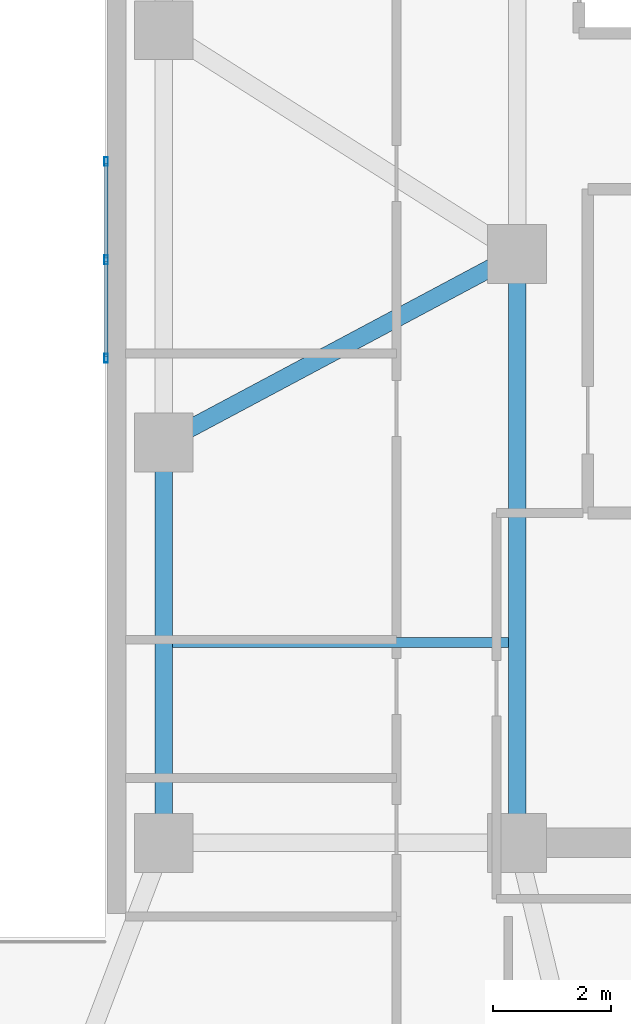
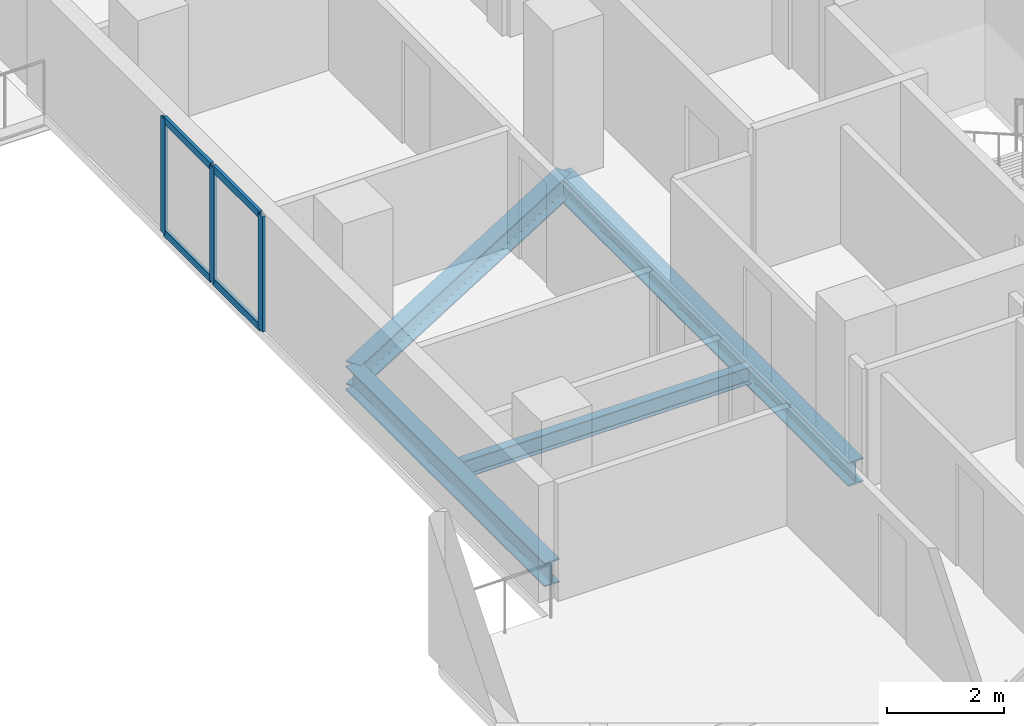
# One storey, part 5 of 14: 7 members, 4 beams, 1 element without a shape of its own.
"""IFC4 building model written with IfcOpenShell, lengths in metres."""

import ifcopenshell
import ifcopenshell.guid

model = None  # the IFC model being written
_history = None  # IfcOwnerHistory: only IFC2X3 demands one
_inside = {}  # id of a spatial element -> (the spatial element, [elements in it])
_under = {}  # id of a project, library or spatial element -> (it, [spatial elements below it])
_declared = {}  # id of a project -> (the project, [libraries it declares])
_typed = {}  # id of a type object -> (the type object, [elements of that type])
_made_of = {}  # id of a material, layer set ... -> (it, [elements and type objects made of it])


def new_model(schema):
    """Start an empty IFC model of exactly this schema.

    Asked for "IFC4X3", IfcOpenShell would pick the latest addendum, in which some entities
    have other attributes; the version numbers below select the first issue.
    IFC2X3 requires an IfcOwnerHistory on every rooted entity: one is made here for all.
    """
    global model, _history
    if schema == "IFC4X3":
        model = ifcopenshell.file(schema_version=(4, 3, 0, 0))
    else:
        model = ifcopenshell.file(schema=schema)
    _inside.clear()
    _under.clear()
    _declared.clear()
    _typed.clear()
    _made_of.clear()
    _history = None
    if model.schema == "IFC2X3":
        org = make("IfcOrganization", Name="unknown")
        user = make(
            "IfcPersonAndOrganization",
            ThePerson=make("IfcPerson", FamilyName="unknown"),
            TheOrganization=org,
        )
        app = make(
            "IfcApplication",
            ApplicationDeveloper=org,
            Version="unknown",
            ApplicationFullName="unknown",
            ApplicationIdentifier="unknown",
        )
        _history = make(
            "IfcOwnerHistory",
            OwningUser=user,
            OwningApplication=app,
            ChangeAction="ADDED",
            CreationDate=0,
        )
    return model


def make(cls, **values):
    """One entity of the class cls with the attributes given. An attribute that is None is left unset."""
    return model.create_entity(
        cls, **{name: value for name, value in values.items() if value is not None}
    )


def rooted(cls, **values):
    """An entity with a GlobalId (a new one), such as an element, a storey or a relation."""
    return make(cls, GlobalId=ifcopenshell.guid.new(), OwnerHistory=_history, **values)


def si_unit(unit_type, name, prefix=None):
    """IfcSIUnit, for example si_unit("LENGTHUNIT", "METRE", prefix="MILLI")."""
    return make("IfcSIUnit", UnitType=unit_type, Prefix=prefix, Name=name)


def assignment(units):
    """IfcUnitAssignment: the units of a project."""
    return None if units is None else make("IfcUnitAssignment", Units=units)


def point(xyz):
    """IfcCartesianPoint."""
    return None if xyz is None else make("IfcCartesianPoint", Coordinates=xyz)


def direction(xyz):
    """IfcDirection."""
    return None if xyz is None else make("IfcDirection", DirectionRatios=xyz)


def frame(location, z_axis=None, x_axis=None):
    """IfcAxis2Placement3D, a coordinate frame: its origin and axes. An axis left out is left unset."""
    return make(
        "IfcAxis2Placement3D",
        Location=point(location),
        Axis=direction(z_axis),
        RefDirection=direction(x_axis),
    )


def frame_2d(location, x_axis=None):
    """IfcAxis2Placement2D, a coordinate frame in the plane: its origin and x axis."""
    return make(
        "IfcAxis2Placement2D", Location=point(location), RefDirection=direction(x_axis)
    )


def origin():
    """The frame at (0, 0, 0) with its axes left unset."""
    return frame((0.0, 0.0, 0.0))


def origin_2d():
    """The frame at (0, 0) in the plane with its x axis left unset."""
    return frame_2d((0.0, 0.0))


def place(relative_to, where):
    """IfcLocalPlacement: puts the frame where relative to a parent placement (None: the world)."""
    return make(
        "IfcLocalPlacement", PlacementRelTo=relative_to, RelativePlacement=where
    )


def context(
    kind, dimensions, precision=None, world=None, true_north=None, identifier=None
):
    """IfcGeometricRepresentationContext, for example the 3D "Model" context."""
    return make(
        "IfcGeometricRepresentationContext",
        ContextIdentifier=identifier,
        ContextType=kind,
        CoordinateSpaceDimension=dimensions,
        Precision=precision,
        WorldCoordinateSystem=world,
        TrueNorth=true_north,
    )


def subcontext(parent, identifier, kind, view, scale=None):
    """IfcGeometricRepresentationSubContext, for example "Body" below "Model"."""
    return make(
        "IfcGeometricRepresentationSubContext",
        ContextIdentifier=identifier,
        ContextType=kind,
        ParentContext=parent,
        TargetScale=scale,
        TargetView=view,
    )


def project(units=None, contexts=None):
    """IfcProject with its units and contexts."""
    return rooted(
        "IfcProject",
        Name="project",
        RepresentationContexts=contexts,
        UnitsInContext=assignment(units),
    )


def spatial(cls, under=None, at=None, **own):
    """A site, building, storey or space (cls), placed at a placement, below another one or the project."""
    s = rooted(cls, ObjectPlacement=at, **own)
    if under is not None:
        _under.setdefault(under.id(), (under, []))[1].append(s)
    return s


def profile(cls, at=None, kind="AREA", **sizes):
    """A parametric profile (cls). Its sizes go by their IFC names, for example OverallWidth=200.0."""
    return make(cls, ProfileType=kind, Position=at, **sizes)


def hollow_rectangle(**sizes):
    """IfcRectangleHollowProfileDef."""
    return profile("IfcRectangleHollowProfileDef", **sizes)


def i_section(**sizes):
    """IfcIShapeProfileDef."""
    return profile("IfcIShapeProfileDef", **sizes)


def extrude(swept, where, along, depth):
    """IfcExtrudedAreaSolid: the profile swept, set in the frame where, extruded along a direction by depth."""
    return make(
        "IfcExtrudedAreaSolid",
        SweptArea=swept,
        Position=where,
        ExtrudedDirection=direction(along),
        Depth=depth,
    )


def shape(context_of_items, identifier, shape_type, items):
    """IfcShapeRepresentation: the items that make up one representation, for example the "Body"."""
    return make(
        "IfcShapeRepresentation",
        ContextOfItems=context_of_items,
        RepresentationIdentifier=identifier,
        RepresentationType=shape_type,
        Items=items,
    )


def material(Name=None, Category=None):
    """IfcMaterial."""
    return make("IfcMaterial", Name=Name, Category=Category)


def material_profile(
    of_material, cross_section, Name=None, Category=None, Priority=None
):
    """IfcMaterialProfile: a cross section and its material."""
    return make(
        "IfcMaterialProfile",
        Name=Name,
        Material=of_material,
        Profile=cross_section,
        Priority=Priority,
        Category=Category,
    )


def profile_set(profiles, Name=None, composite=None):
    """IfcMaterialProfileSet."""
    return make(
        "IfcMaterialProfileSet",
        Name=Name,
        MaterialProfiles=profiles,
        CompositeProfile=composite,
    )


def made_of(thing, what):
    """Note that an element or type object is made of a material, layer set ...; save() writes the relation."""
    if what is not None:
        _made_of.setdefault(what.id(), (what, []))[1].append(thing)
    return thing


def type_object(cls, material=None, **own):
    """A type object (cls), such as IfcWallType, which elements share."""
    return made_of(rooted(cls, **own), material)


def element(
    cls,
    number,
    at=None,
    inside=None,
    cuts=None,
    type_object=None,
    material=None,
    context=None,
    identifier="Body",
    shape_type=None,
    held_by="IfcProductDefinitionShape",
    body=None,
    shapes=None,
    **own,
):
    """One element of the class cls, such as IfcWall. Its Tag is "e" and its number.

    at: its placement. inside: the storey or other place that contains it. cuts: it is an
    opening in that element (IfcRelVoidsElement). A single representation is given by context,
    identifier, shape_type and body (its items); several are given by shapes. held_by: the class
    of the entity that holds the representations. save() writes the other relations.
    """
    e = rooted(cls, Tag="e%d" % number, ObjectPlacement=at, **own)
    if body is not None:
        shapes = [shape(context, identifier, shape_type, body)]
    if shapes is not None:
        e.Representation = make(held_by, Representations=shapes)
    if inside is not None:
        _inside.setdefault(inside.id(), (inside, []))[1].append(e)
    if cuts is not None:
        rooted(
            "IfcRelVoidsElement", RelatingBuildingElement=cuts, RelatedOpeningElement=e
        )
    if type_object is not None:
        _typed.setdefault(type_object.id(), (type_object, []))[1].append(e)
    return made_of(e, material)


def aggregate(whole, parts):
    """IfcRelAggregates: a whole, such as a stair, and the parts it consists of."""
    return rooted("IfcRelAggregates", RelatingObject=whole, RelatedObjects=parts)


def save(model, path):
    """Write the relations noted so far, then the file.

    IfcRelAggregates (storeys below a building ...), IfcRelContainedInSpatialStructure (elements
    in a storey), IfcRelDefinesByType, IfcRelAssociatesMaterial and IfcRelDeclares: one each for
    every whole, place, type object, material and project.
    """
    for whole, parts in _under.values():
        aggregate(whole, parts)
    for where, things in _inside.values():
        rooted(
            "IfcRelContainedInSpatialStructure",
            RelatedElements=things,
            RelatingStructure=where,
        )
    for kind, things in _typed.values():
        rooted("IfcRelDefinesByType", RelatedObjects=things, RelatingType=kind)
    for what, things in _made_of.values():
        rooted("IfcRelAssociatesMaterial", RelatedObjects=things, RelatingMaterial=what)
    for by, libraries in _declared.values():
        rooted("IfcRelDeclares", RelatingContext=by, RelatedDefinitions=libraries)
    model.write(path)


model = new_model("IFC4")

# Units and contexts
model_context = context("Model", 3, precision=1e-05, world=origin(), true_north=direction((0.0, 1.0)))
body_context = subcontext(model_context, "Body", "Model", "MODEL_VIEW")
ifc_project = project(units=[si_unit("LENGTHUNIT", "METRE"), si_unit("AREAUNIT", "SQUARE_METRE"), si_unit("VOLUMEUNIT", "CUBIC_METRE"), si_unit("PLANEANGLEUNIT", "RADIAN"), si_unit("MASSUNIT", "GRAM", prefix="KILO")], contexts=[model_context])

# Site, building, storey
site_placement = place(None, origin())
site = spatial("IfcSite", under=ifc_project, at=site_placement, CompositionType="ELEMENT")
building_placement = place(site_placement, origin())
building = spatial("IfcBuilding", under=site, at=building_placement, Name="Kuzgunbayir Cultural Tower", CompositionType="ELEMENT")
storey_placement = place(building_placement, frame((0.0, 0.0, 36.60009765625)))
storey = spatial("IfcBuildingStorey", under=building, at=storey_placement, Name="L09", CompositionType="ELEMENT", Elevation=36.60009765625)

# Beams
ifc_material_1 = material(Name="Steel S355J2", Category="steel")
ifc_material_profile_1 = material_profile(ifc_material_1, i_section(OverallWidth=0.300048828125, OverallDepth=0.5, WebThickness=0.014404296875, FlangeThickness=0.028076171875, FilletRadius=0.027099609375, at=origin_2d()), Name="HEB 500")
ifc_profile_set_1 = profile_set([ifc_material_profile_1], Name="Steel S355J2")
beam_type_1 = type_object("IfcBeamType", Name="BM-EXT-HEB500", PredefinedType="BEAM", material=ifc_profile_set_1)
beam_1_placement = place(storey_placement, frame((58.60009765625, 22.0, -0.43017578125), z_axis=(0.0, 1.0, 0.0), x_axis=(-1.0, 0.0, 0.0)))
element("IfcBeam", 1, at=beam_1_placement, inside=storey, type_object=beam_type_1, Name="L09 Companion West Girder", PredefinedType="BEAM", context=body_context, shape_type="SweptSolid", body=[
    extrude(i_section(OverallWidth=0.300048828125, OverallDepth=0.5, WebThickness=0.014404296875, FlangeThickness=0.028076171875, FilletRadius=0.027099609375, at=origin_2d()), origin(), (0.0, 0.0, 1.0), 6.800048828125),
])
ifc_material_profile_2 = material_profile(ifc_material_1, i_section(OverallWidth=0.300048828125, OverallDepth=0.5, WebThickness=0.014404296875, FlangeThickness=0.028076171875, FilletRadius=0.027099609375, at=origin_2d()), Name="HEB 500")
ifc_profile_set_2 = profile_set([ifc_material_profile_2], Name="Steel S355J2")
beam_type_2 = type_object("IfcBeamType", Name="BM-GIR-HEB500", PredefinedType="BEAM", material=ifc_profile_set_2)
beam_2_placement = place(storey_placement, frame((58.60009765625, 28.800048828125, -0.43017578125), z_axis=(0.882355922736, 0.470582644828, 0.0), x_axis=(-0.470582644828, 0.882355922736, 0.0)))
element("IfcBeam", 2, at=beam_2_placement, inside=storey, type_object=beam_type_2, Name="L09 Companion Transverse Girder 2", PredefinedType="BEAM", context=body_context, shape_type="SweptSolid", body=[
    extrude(i_section(OverallWidth=0.300048828125, OverallDepth=0.5, WebThickness=0.014404296875, FlangeThickness=0.028076171875, FilletRadius=0.027099609375, at=origin_2d()), origin(), (0.0, 0.0, 1.0), 6.800048828125),
])
beam_3_placement = place(storey_placement, frame((64.60009765625, 22.0, -0.43017578125), z_axis=(0.0, 1.0, 0.0), x_axis=(-1.0, 0.0, 0.0)))
element("IfcBeam", 3, at=beam_3_placement, inside=storey, type_object=beam_type_2, Name="L09 Companion Core West Girder 1", PredefinedType="BEAM", context=body_context, shape_type="SweptSolid", body=[
    extrude(i_section(OverallWidth=0.300048828125, OverallDepth=0.5, WebThickness=0.014404296875, FlangeThickness=0.028076171875, FilletRadius=0.027099609375, at=origin_2d()), origin(), (0.0, 0.0, 1.0), 10.0),
])
ifc_material_profile_3 = material_profile(ifc_material_1, i_section(OverallWidth=0.169921875, OverallDepth=0.360107421875, WebThickness=0.008056640625, FlangeThickness=0.0126953125, FilletRadius=0.01806640625, at=origin_2d()), Name="IPE 360")
ifc_profile_set_3 = profile_set([ifc_material_profile_3], Name="Steel S355J2")
beam_type_3 = type_object("IfcBeamType", Name="BM-JST-IPE360", PredefinedType="JOIST", material=ifc_profile_set_3)
beam_4_placement = place(storey_placement, frame((58.75, 25.39990234375, -0.360107421875), z_axis=(1.0, 0.0, 0.0), x_axis=(0.0, 1.0, 0.0)))
element("IfcBeam", 4, at=beam_4_placement, inside=storey, type_object=beam_type_3, Name="L09 Companion Joist", PredefinedType="JOIST", context=body_context, shape_type="SweptSolid", body=[
    extrude(i_section(OverallWidth=0.169921875, OverallDepth=0.360107421875, WebThickness=0.008056640625, FlangeThickness=0.0126953125, FilletRadius=0.01806640625, at=origin_2d()), origin(), (0.0, 0.0, 1.0), 5.699951171875),
])

# Curtain wall, members
ifc_material_2 = material(Name="Anodised Aluminium Framing", Category="aluminium")
curtain_wall_type = type_object("IfcCurtainWallType", Name="CW04-T2-CULTURAL", PredefinedType="NOTDEFINED", material=ifc_material_2)
curtain_wall_placement = place(storey_placement, origin())
curtain_wall = element("IfcCurtainWall", 5, at=curtain_wall_placement, inside=storey, type_object=curtain_wall_type, Name="L09 Companion Cultural Curtain Wall", PredefinedType="NOTDEFINED")
ifc_material_profile_4 = material_profile(ifc_material_2, hollow_rectangle(XDim=0.06005859375, YDim=0.14990234375, WallThickness=0.00390625, at=origin_2d()), Name="RHS 150x60x4")
ifc_profile_set_4 = profile_set([ifc_material_profile_4], Name="Anodised Aluminium Framing")
member_type_1 = type_object("IfcMemberType", Name="MEM-CW-MULLION-150", PredefinedType="MULLION", material=ifc_profile_set_4)
member_1_placement = place(storey_placement, frame((57.6201171875, 30.22998046875, 0.0), z_axis=(0.0, 0.0, 1.0), x_axis=(-1.0, 0.0, 0.0)))
member_1 = element("IfcMember", 6, at=member_1_placement, type_object=member_type_1, Name="CW04 mullion 1", PredefinedType="MULLION", context=body_context, shape_type="SweptSolid", body=[
    extrude(hollow_rectangle(XDim=0.06005859375, YDim=0.14990234375, WallThickness=0.00390625, at=origin_2d()), origin(), (0.0, 0.0, 1.0), 2.409912109375),
])
member_2_placement = place(storey_placement, frame((57.6201171875, 31.89990234375, 0.0), z_axis=(0.0, 0.0, 1.0), x_axis=(-1.0, 0.0, 0.0)))
member_2 = element("IfcMember", 7, at=member_2_placement, type_object=member_type_1, Name="CW04 mullion 2", PredefinedType="MULLION", context=body_context, shape_type="SweptSolid", body=[
    extrude(hollow_rectangle(XDim=0.06005859375, YDim=0.14990234375, WallThickness=0.00390625, at=origin_2d()), origin(), (0.0, 0.0, 1.0), 2.409912109375),
])
member_3_placement = place(storey_placement, frame((57.6201171875, 33.570068359375, 0.0), z_axis=(0.0, 0.0, 1.0), x_axis=(-1.0, 0.0, 0.0)))
member_3 = element("IfcMember", 8, at=member_3_placement, type_object=member_type_1, Name="CW04 mullion 3", PredefinedType="MULLION", context=body_context, shape_type="SweptSolid", body=[
    extrude(hollow_rectangle(XDim=0.06005859375, YDim=0.14990234375, WallThickness=0.00390625, at=origin_2d()), origin(), (0.0, 0.0, 1.0), 2.409912109375),
])
ifc_material_profile_5 = material_profile(ifc_material_2, hollow_rectangle(XDim=0.06005859375, YDim=0.14990234375, WallThickness=0.00390625, at=origin_2d()), Name="RHS 150x60x4")
ifc_profile_set_5 = profile_set([ifc_material_profile_5], Name="Anodised Aluminium Framing")
member_type_2 = type_object("IfcMemberType", Name="MEM-CW-TRANSOM-150", PredefinedType="USERDEFINED", material=ifc_profile_set_5)
member_4_placement = place(storey_placement, frame((57.6201171875, 30.260009765625, 0.02978515625), z_axis=(0.0, 1.0, 0.0), x_axis=(-1.0, 0.0, 0.0)))
member_4 = element("IfcMember", 9, at=member_4_placement, type_object=member_type_2, Name="CW04 transom 1.1", ObjectType="TRANSOM", PredefinedType="USERDEFINED", context=body_context, shape_type="SweptSolid", body=[
    extrude(hollow_rectangle(XDim=0.06005859375, YDim=0.14990234375, WallThickness=0.00390625, at=origin_2d()), origin(), (0.0, 0.0, 1.0), 1.610107421875),
])
member_5_placement = place(storey_placement, frame((57.6201171875, 30.260009765625, 2.3798828125), z_axis=(0.0, 1.0, 0.0), x_axis=(-1.0, 0.0, 0.0)))
member_5 = element("IfcMember", 10, at=member_5_placement, type_object=member_type_2, Name="CW04 transom 1.2", ObjectType="TRANSOM", PredefinedType="USERDEFINED", context=body_context, shape_type="SweptSolid", body=[
    extrude(hollow_rectangle(XDim=0.06005859375, YDim=0.14990234375, WallThickness=0.00390625, at=origin_2d()), origin(), (0.0, 0.0, 1.0), 1.610107421875),
])
member_6_placement = place(storey_placement, frame((57.6201171875, 31.929931640625, 0.02978515625), z_axis=(0.0, 1.0, 0.0), x_axis=(-1.0, 0.0, 0.0)))
member_6 = element("IfcMember", 11, at=member_6_placement, type_object=member_type_2, Name="CW04 transom 2.1", ObjectType="TRANSOM", PredefinedType="USERDEFINED", context=body_context, shape_type="SweptSolid", body=[
    extrude(hollow_rectangle(XDim=0.06005859375, YDim=0.14990234375, WallThickness=0.00390625, at=origin_2d()), origin(), (0.0, 0.0, 1.0), 1.610107421875),
])
member_7_placement = place(storey_placement, frame((57.6201171875, 31.929931640625, 2.3798828125), z_axis=(0.0, 1.0, 0.0), x_axis=(-1.0, 0.0, 0.0)))
member_7 = element("IfcMember", 12, at=member_7_placement, type_object=member_type_2, Name="CW04 transom 2.2", ObjectType="TRANSOM", PredefinedType="USERDEFINED", context=body_context, shape_type="SweptSolid", body=[
    extrude(hollow_rectangle(XDim=0.06005859375, YDim=0.14990234375, WallThickness=0.00390625, at=origin_2d()), origin(), (0.0, 0.0, 1.0), 1.610107421875),
])
aggregate(curtain_wall, [member_1, member_2, member_3, member_4, member_5, member_6, member_7])

save(model, "model.ifc")
